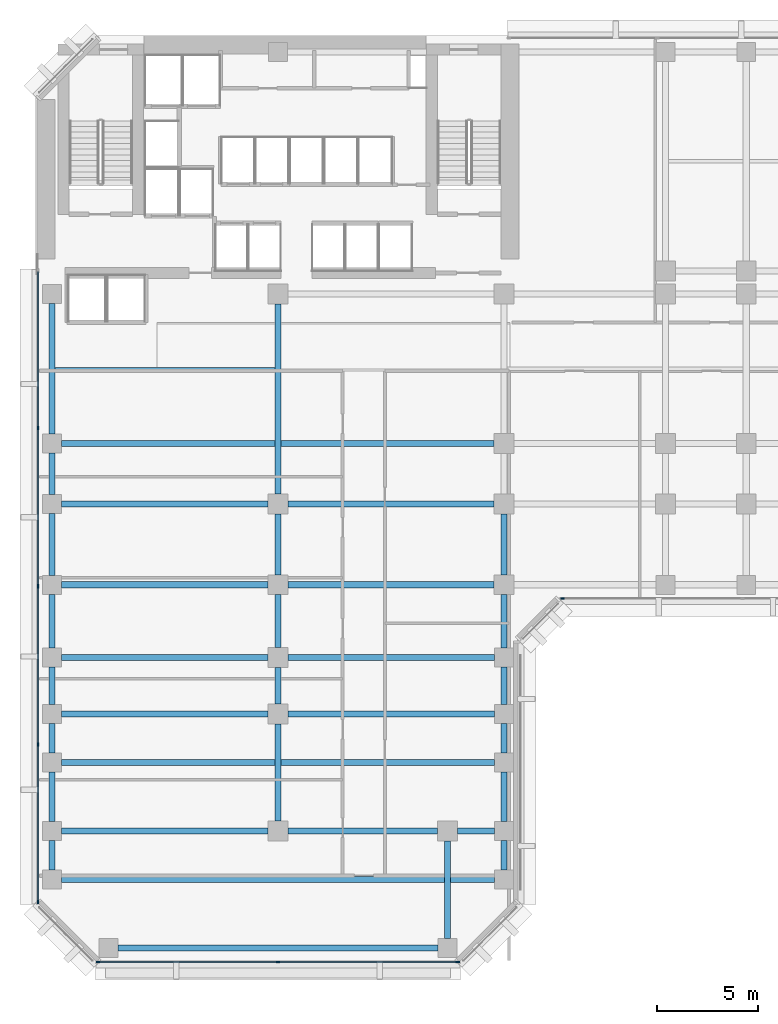
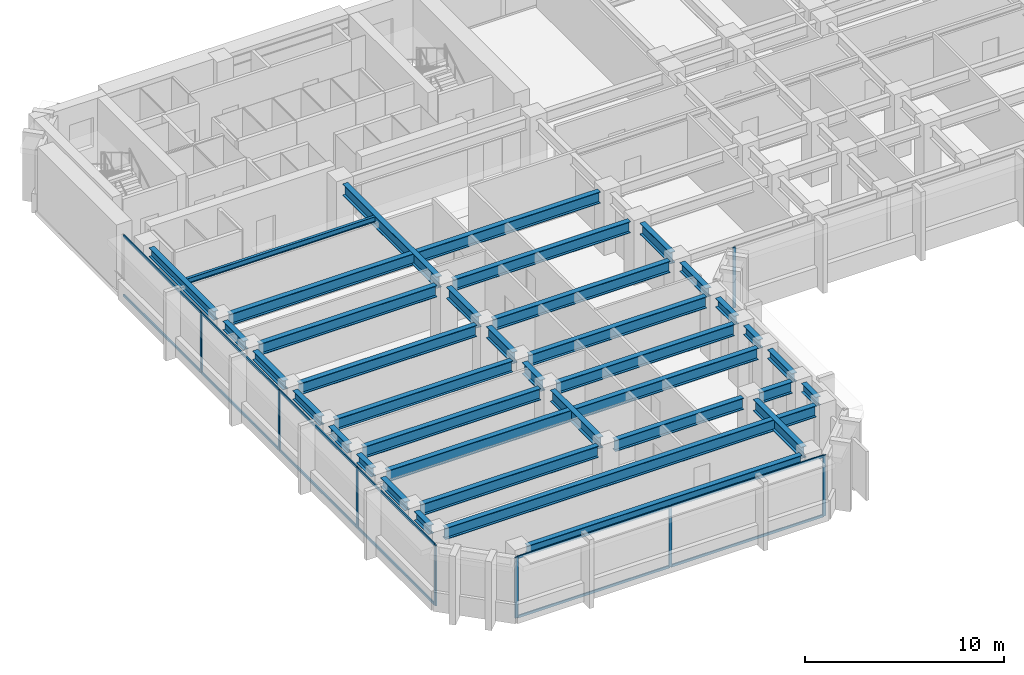
# One storey, part 2 of 13: 36 beams, 20 members, 3 elements without a shape of their own.
"""IFC4 building model written with IfcOpenShell, lengths in metres."""

from ifc_helpers import new_model, si_unit, direction, frame, origin, origin_2d, place, context, subcontext, project, spatial, rectangle, i_section, extrude, material, layer, layer_set, material_profile, profile_set, type_object, element, aggregate, save


model = new_model("IFC4")

# Units and contexts
model_context = context("Model", 3, precision=1e-05, world=origin(), true_north=direction((0.0, 1.0)))
body_context = subcontext(model_context, "Body", "Model", "MODEL_VIEW")
ifc_project = project(units=[si_unit("LENGTHUNIT", "METRE"), si_unit("AREAUNIT", "SQUARE_METRE"), si_unit("VOLUMEUNIT", "CUBIC_METRE"), si_unit("PLANEANGLEUNIT", "RADIAN"), si_unit("MASSUNIT", "GRAM", prefix="KILO")], contexts=[model_context])

# Site, building, storey
site_placement = place(None, origin())
site = spatial("IfcSite", under=ifc_project, at=site_placement, CompositionType="ELEMENT")
building_placement = place(site_placement, origin())
building = spatial("IfcBuilding", under=site, at=building_placement, Name="Kefirva Bronze Tower", CompositionType="ELEMENT")
storey_placement = place(building_placement, frame((0.0, 0.0, 62.0400390625)))
storey = spatial("IfcBuildingStorey", under=building, at=storey_placement, Name="L14", CompositionType="ELEMENT", Elevation=62.0400390625)

# Curtain wall, members
ifc_material_1 = material(Name="Bronze anodised aluminium", Category="aluminium")
ifc_layer = layer(ifc_material_1, 0.199951171875, Name="Bronze anodised aluminium")
ifc_layer_set = layer_set([ifc_layer], Name="Bronze anodised aluminium")
curtain_wall_type = type_object("IfcCurtainWallType", Name="Unitised Bronze Ribbon Curtain Wall Zone 1", PredefinedType="USERDEFINED", material=ifc_layer_set)
curtain_wall_1_placement = place(storey_placement, origin())
curtain_wall_1 = element("IfcCurtainWall", 1, at=curtain_wall_1_placement, inside=storey, type_object=curtain_wall_type, Name="L14 Curtain Wall 1", ObjectType="UNITISED CURTAIN WALL", PredefinedType="USERDEFINED")
ifc_material_profile_1 = material_profile(ifc_material_1, rectangle(XDim=0.074951171875, YDim=0.179931640625, at=origin_2d()), Name="ALU 75x180")
ifc_profile_set_1 = profile_set([ifc_material_profile_1], Name="Bronze anodised aluminium")
member_type_1 = type_object("IfcMemberType", Name="Bronze Mullion 75x180", PredefinedType="MULLION", material=ifc_profile_set_1)
member_1_placement = place(storey_placement, frame((3.092529296875, 0.1201171875, 0.0), z_axis=(0.0, 0.0, 1.0), x_axis=(0.0, 1.0, 0.0)))
member_1 = element("IfcMember", 2, at=member_1_placement, type_object=member_type_1, Name="CW-01 mullion 1", PredefinedType="MULLION", context=body_context, shape_type="SweptSolid", body=[
    extrude(rectangle(XDim=0.074951171875, YDim=0.179931640625, at=origin_2d()), origin(), (0.0, 0.0, 1.0), 3.7099609375),
])
member_2_placement = place(storey_placement, frame((12.0, 0.1201171875, 0.0), z_axis=(0.0, 0.0, 1.0), x_axis=(0.0, 1.0, 0.0)))
member_2 = element("IfcMember", 3, at=member_2_placement, type_object=member_type_1, Name="CW-01 mullion 2", PredefinedType="MULLION", context=body_context, shape_type="SweptSolid", body=[
    extrude(rectangle(XDim=0.074951171875, YDim=0.179931640625, at=origin_2d()), origin(), (0.0, 0.0, 1.0), 3.7099609375),
])
member_3_placement = place(storey_placement, frame((20.907470703125, 0.1201171875, 0.0), z_axis=(0.0, 0.0, 1.0), x_axis=(0.0, 1.0, 0.0)))
member_3 = element("IfcMember", 4, at=member_3_placement, type_object=member_type_1, Name="CW-01 mullion 3", PredefinedType="MULLION", context=body_context, shape_type="SweptSolid", body=[
    extrude(rectangle(XDim=0.074951171875, YDim=0.179931640625, at=origin_2d()), origin(), (0.0, 0.0, 1.0), 3.7099609375),
])

# Curtain wall, member
curtain_wall_2_placement = place(storey_placement, origin())
curtain_wall_2 = element("IfcCurtainWall", 5, at=curtain_wall_2_placement, inside=storey, type_object=curtain_wall_type, Name="L14 Curtain Wall 2", ObjectType="UNITISED CURTAIN WALL", PredefinedType="USERDEFINED")
member_4_placement = place(storey_placement, frame((26.092529296875, 18.1201171875, 0.0), z_axis=(0.0, 0.0, 1.0), x_axis=(0.0, 1.0, 0.0)))
member_4 = element("IfcMember", 6, at=member_4_placement, type_object=member_type_1, Name="CW-01 mullion 1", PredefinedType="MULLION", context=body_context, shape_type="SweptSolid", body=[
    extrude(rectangle(XDim=0.074951171875, YDim=0.179931640625, at=origin_2d()), origin(), (0.0, 0.0, 1.0), 3.7099609375),
])
aggregate(curtain_wall_2, [member_4])

# Curtain wall, members
curtain_wall_3_placement = place(storey_placement, origin())
curtain_wall_3 = element("IfcCurtainWall", 7, at=curtain_wall_3_placement, inside=storey, type_object=curtain_wall_type, Name="L14 Curtain Wall 5", ObjectType="UNITISED CURTAIN WALL", PredefinedType="USERDEFINED")
member_5_placement = place(storey_placement, frame((0.1201171875, 26.56005859375, 0.0), z_axis=(0.0, 0.0, 1.0), x_axis=(1.0, 0.0, 0.0)))
member_5 = element("IfcMember", 8, at=member_5_placement, type_object=member_type_1, Name="CW-01 mullion 2", PredefinedType="MULLION", context=body_context, shape_type="SweptSolid", body=[
    extrude(rectangle(XDim=0.074951171875, YDim=0.179931640625, at=origin_2d()), origin(), (0.0, 0.0, 1.0), 3.7099609375),
])
member_6_placement = place(storey_placement, frame((0.1201171875, 18.72509765625, 0.0), z_axis=(0.0, 0.0, 1.0), x_axis=(1.0, 0.0, 0.0)))
member_6 = element("IfcMember", 9, at=member_6_placement, type_object=member_type_1, Name="CW-01 mullion 3", PredefinedType="MULLION", context=body_context, shape_type="SweptSolid", body=[
    extrude(rectangle(XDim=0.074951171875, YDim=0.179931640625, at=origin_2d()), origin(), (0.0, 0.0, 1.0), 3.7099609375),
])
member_7_placement = place(storey_placement, frame((0.1201171875, 10.889892578125, 0.0), z_axis=(0.0, 0.0, 1.0), x_axis=(1.0, 0.0, 0.0)))
member_7 = element("IfcMember", 10, at=member_7_placement, type_object=member_type_1, Name="CW-01 mullion 4", PredefinedType="MULLION", context=body_context, shape_type="SweptSolid", body=[
    extrude(rectangle(XDim=0.074951171875, YDim=0.179931640625, at=origin_2d()), origin(), (0.0, 0.0, 1.0), 3.7099609375),
])
member_8_placement = place(storey_placement, frame((0.1201171875, 3.092529296875, 0.0), z_axis=(0.0, 0.0, 1.0), x_axis=(1.0, 0.0, 0.0)))
member_8 = element("IfcMember", 11, at=member_8_placement, type_object=member_type_1, Name="CW-01 mullion 5", PredefinedType="MULLION", context=body_context, shape_type="SweptSolid", body=[
    extrude(rectangle(XDim=0.074951171875, YDim=0.179931640625, at=origin_2d()), origin(), (0.0, 0.0, 1.0), 3.7099609375),
])

# Member
ifc_material_profile_2 = material_profile(ifc_material_1, rectangle(XDim=0.074951171875, YDim=0.14990234375, at=origin_2d()), Name="ALU 75x150")
ifc_profile_set_2 = profile_set([ifc_material_profile_2], Name="Bronze anodised aluminium")
member_type_2 = type_object("IfcMemberType", Name="Bronze Transom 75x150", PredefinedType="USERDEFINED", material=ifc_profile_set_2)
member_9_placement = place(storey_placement, frame((3.1298828125, 0.1201171875, 0.037353515625), z_axis=(1.0, 0.0, 0.0), x_axis=(0.0, 1.0, 0.0)))
member_9 = element("IfcMember", 12, at=member_9_placement, type_object=member_type_2, Name="CW-01 transom 1.1", ObjectType="TRANSOM", PredefinedType="USERDEFINED", context=body_context, shape_type="SweptSolid", body=[
    extrude(rectangle(XDim=0.074951171875, YDim=0.14990234375, at=origin_2d()), origin(), (0.0, 0.0, 1.0), 8.83251953125),
])

member_10_placement = place(storey_placement, frame((3.1298828125, 0.1201171875, 3.67236328125), z_axis=(1.0, 0.0, 0.0), x_axis=(0.0, 1.0, 0.0)))
member_10 = element("IfcMember", 13, at=member_10_placement, type_object=member_type_2, Name="CW-01 transom 1.2", ObjectType="TRANSOM", PredefinedType="USERDEFINED", context=body_context, shape_type="SweptSolid", body=[
    extrude(rectangle(XDim=0.074951171875, YDim=0.14990234375, at=origin_2d()), origin(), (0.0, 0.0, 1.0), 8.83251953125),
])

member_11_placement = place(storey_placement, frame((12.03759765625, 0.1201171875, 0.037353515625), z_axis=(1.0, 0.0, 0.0), x_axis=(0.0, 1.0, 0.0)))
member_11 = element("IfcMember", 14, at=member_11_placement, type_object=member_type_2, Name="CW-01 transom 2.1", ObjectType="TRANSOM", PredefinedType="USERDEFINED", context=body_context, shape_type="SweptSolid", body=[
    extrude(rectangle(XDim=0.074951171875, YDim=0.14990234375, at=origin_2d()), origin(), (0.0, 0.0, 1.0), 8.83251953125),
])

member_12_placement = place(storey_placement, frame((12.03759765625, 0.1201171875, 3.67236328125), z_axis=(1.0, 0.0, 0.0), x_axis=(0.0, 1.0, 0.0)))
member_12 = element("IfcMember", 15, at=member_12_placement, type_object=member_type_2, Name="CW-01 transom 2.2", ObjectType="TRANSOM", PredefinedType="USERDEFINED", context=body_context, shape_type="SweptSolid", body=[
    extrude(rectangle(XDim=0.074951171875, YDim=0.14990234375, at=origin_2d()), origin(), (0.0, 0.0, 1.0), 8.83251953125),
])

aggregate(curtain_wall_1, [member_1, member_2, member_3, member_9, member_10, member_11, member_12])

member_13_placement = place(storey_placement, frame((0.1201171875, 34.320068359375, 0.037353515625), z_axis=(0.0, -1.0, 0.0), x_axis=(1.0, 0.0, 0.0)))
member_13 = element("IfcMember", 16, at=member_13_placement, type_object=member_type_2, Name="CW-01 transom 1.1", ObjectType="TRANSOM", PredefinedType="USERDEFINED", context=body_context, shape_type="SweptSolid", body=[
    extrude(rectangle(XDim=0.074951171875, YDim=0.14990234375, at=origin_2d()), origin(), (0.0, 0.0, 1.0), 7.72265625),
])

member_14_placement = place(storey_placement, frame((0.1201171875, 34.320068359375, 3.67236328125), z_axis=(0.0, -1.0, 0.0), x_axis=(1.0, 0.0, 0.0)))
member_14 = element("IfcMember", 17, at=member_14_placement, type_object=member_type_2, Name="CW-01 transom 1.2", ObjectType="TRANSOM", PredefinedType="USERDEFINED", context=body_context, shape_type="SweptSolid", body=[
    extrude(rectangle(XDim=0.074951171875, YDim=0.14990234375, at=origin_2d()), origin(), (0.0, 0.0, 1.0), 7.72265625),
])

member_15_placement = place(storey_placement, frame((0.1201171875, 26.5224609375, 0.037353515625), z_axis=(0.0, -1.0, 0.0), x_axis=(1.0, 0.0, 0.0)))
member_15 = element("IfcMember", 18, at=member_15_placement, type_object=member_type_2, Name="CW-01 transom 2.1", ObjectType="TRANSOM", PredefinedType="USERDEFINED", context=body_context, shape_type="SweptSolid", body=[
    extrude(rectangle(XDim=0.074951171875, YDim=0.14990234375, at=origin_2d()), origin(), (0.0, 0.0, 1.0), 7.760009765625),
])

member_16_placement = place(storey_placement, frame((0.1201171875, 26.5224609375, 3.67236328125), z_axis=(0.0, -1.0, 0.0), x_axis=(1.0, 0.0, 0.0)))
member_16 = element("IfcMember", 19, at=member_16_placement, type_object=member_type_2, Name="CW-01 transom 2.2", ObjectType="TRANSOM", PredefinedType="USERDEFINED", context=body_context, shape_type="SweptSolid", body=[
    extrude(rectangle(XDim=0.074951171875, YDim=0.14990234375, at=origin_2d()), origin(), (0.0, 0.0, 1.0), 7.760009765625),
])

member_17_placement = place(storey_placement, frame((0.1201171875, 18.6875, 0.037353515625), z_axis=(0.0, -1.0, 0.0), x_axis=(1.0, 0.0, 0.0)))
member_17 = element("IfcMember", 20, at=member_17_placement, type_object=member_type_2, Name="CW-01 transom 3.1", ObjectType="TRANSOM", PredefinedType="USERDEFINED", context=body_context, shape_type="SweptSolid", body=[
    extrude(rectangle(XDim=0.074951171875, YDim=0.14990234375, at=origin_2d()), origin(), (0.0, 0.0, 1.0), 7.760009765625),
])

member_18_placement = place(storey_placement, frame((0.1201171875, 18.6875, 3.67236328125), z_axis=(0.0, -1.0, 0.0), x_axis=(1.0, 0.0, 0.0)))
member_18 = element("IfcMember", 21, at=member_18_placement, type_object=member_type_2, Name="CW-01 transom 3.2", ObjectType="TRANSOM", PredefinedType="USERDEFINED", context=body_context, shape_type="SweptSolid", body=[
    extrude(rectangle(XDim=0.074951171875, YDim=0.14990234375, at=origin_2d()), origin(), (0.0, 0.0, 1.0), 7.760009765625),
])

member_19_placement = place(storey_placement, frame((0.1201171875, 10.8525390625, 0.037353515625), z_axis=(0.0, -1.0, 0.0), x_axis=(1.0, 0.0, 0.0)))
member_19 = element("IfcMember", 22, at=member_19_placement, type_object=member_type_2, Name="CW-01 transom 4.1", ObjectType="TRANSOM", PredefinedType="USERDEFINED", context=body_context, shape_type="SweptSolid", body=[
    extrude(rectangle(XDim=0.074951171875, YDim=0.14990234375, at=origin_2d()), origin(), (0.0, 0.0, 1.0), 7.72265625),
])

member_20_placement = place(storey_placement, frame((0.1201171875, 10.8525390625, 3.67236328125), z_axis=(0.0, -1.0, 0.0), x_axis=(1.0, 0.0, 0.0)))
member_20 = element("IfcMember", 23, at=member_20_placement, type_object=member_type_2, Name="CW-01 transom 4.2", ObjectType="TRANSOM", PredefinedType="USERDEFINED", context=body_context, shape_type="SweptSolid", body=[
    extrude(rectangle(XDim=0.074951171875, YDim=0.14990234375, at=origin_2d()), origin(), (0.0, 0.0, 1.0), 7.72265625),
])

aggregate(curtain_wall_3, [member_5, member_6, member_7, member_8, member_13, member_14, member_15, member_16, member_17, member_18, member_19, member_20])

# Beams
ifc_material_2 = material(Name="Steel S355", Category="steel")
ifc_material_profile_3 = material_profile(ifc_material_2, i_section(OverallWidth=0.159912109375, OverallDepth=0.330078125, WebThickness=0.007568359375, FlangeThickness=0.011474609375, at=origin_2d()), Name="IPE 330")
ifc_profile_set_3 = profile_set([ifc_material_profile_3], Name="Steel S355")
beam_type_1 = type_object("IfcBeamType", Name="Steel Floor Joist IPE 330", PredefinedType="JOIST", material=ifc_profile_set_3)
beam_1_placement = place(storey_placement, frame((0.949951171875, 29.489990234375, 3.544921875), z_axis=(1.0, 0.0, 0.0), x_axis=(0.0, 1.0, 0.0)))
element("IfcBeam", 24, at=beam_1_placement, inside=storey, type_object=beam_type_1, Name="L14 JST-L14-0-294", PredefinedType="JOIST", context=body_context, shape_type="SweptSolid", body=[
    extrude(i_section(OverallWidth=0.159912109375, OverallDepth=0.330078125, WebThickness=0.007568359375, FlangeThickness=0.011474609375, at=origin_2d()), origin(), (0.0, 0.0, 1.0), 10.900146484375),
])
ifc_material_profile_4 = material_profile(ifc_material_2, i_section(OverallWidth=0.300048828125, OverallDepth=0.699951171875, WebThickness=0.01708984375, FlangeThickness=0.031982421875, at=origin_2d()), Name="HEB 700")
ifc_profile_set_4 = profile_set([ifc_material_profile_4], Name="Steel S355")
beam_type_2 = type_object("IfcBeamType", Name="Steel Girder HEB 700", PredefinedType="USERDEFINED", material=ifc_profile_set_4)
beam_2_placement = place(storey_placement, frame((1.27001953125, 4.199951171875, 3.35986328125), z_axis=(1.0, 0.0, 0.0), x_axis=(0.0, 1.0, 0.0)))
element("IfcBeam", 25, at=beam_2_placement, inside=storey, type_object=beam_type_2, Name="L14 BM-L14-EW-0-42", ObjectType="GIRDER", PredefinedType="USERDEFINED", context=body_context, shape_type="SweptSolid", body=[
    extrude(i_section(OverallWidth=0.300048828125, OverallDepth=0.699951171875, WebThickness=0.01708984375, FlangeThickness=0.031982421875, at=origin_2d()), origin(), (0.0, 0.0, 1.0), 21.4599609375),
])
beam_3_placement = place(storey_placement, frame((1.27001953125, 6.60009765625, 3.35986328125), z_axis=(1.0, 0.0, 0.0), x_axis=(0.0, 1.0, 0.0)))
element("IfcBeam", 26, at=beam_3_placement, inside=storey, type_object=beam_type_2, Name="L14 BM-L14-EW-0-66", ObjectType="GIRDER", PredefinedType="USERDEFINED", context=body_context, shape_type="SweptSolid", body=[
    extrude(i_section(OverallWidth=0.300048828125, OverallDepth=0.699951171875, WebThickness=0.01708984375, FlangeThickness=0.031982421875, at=origin_2d()), origin(), (0.0, 0.0, 1.0), 10.239990234375),
])
beam_4_placement = place(storey_placement, frame((12.489990234375, 6.60009765625, 3.35986328125), z_axis=(1.0, 0.0, 0.0), x_axis=(0.0, 1.0, 0.0)))
element("IfcBeam", 27, at=beam_4_placement, inside=storey, type_object=beam_type_2, Name="L14 BM-L14-EW-12-66", ObjectType="GIRDER", PredefinedType="USERDEFINED", context=body_context, shape_type="SweptSolid", body=[
    extrude(i_section(OverallWidth=0.300048828125, OverallDepth=0.699951171875, WebThickness=0.01708984375, FlangeThickness=0.031982421875, at=origin_2d()), origin(), (0.0, 0.0, 1.0), 7.419921875),
])
beam_5_placement = place(storey_placement, frame((20.889892578125, 6.60009765625, 3.35986328125), z_axis=(1.0, 0.0, 0.0), x_axis=(0.0, 1.0, 0.0)))
element("IfcBeam", 28, at=beam_5_placement, inside=storey, type_object=beam_type_2, Name="L14 BM-L14-EW-20-66", ObjectType="GIRDER", PredefinedType="USERDEFINED", context=body_context, shape_type="SweptSolid", body=[
    extrude(i_section(OverallWidth=0.300048828125, OverallDepth=0.699951171875, WebThickness=0.01708984375, FlangeThickness=0.031982421875, at=origin_2d()), origin(), (0.0, 0.0, 1.0), 1.840087890625),
])
beam_6_placement = place(storey_placement, frame((1.27001953125, 10.0, 3.35986328125), z_axis=(1.0, 0.0, 0.0), x_axis=(0.0, 1.0, 0.0)))
element("IfcBeam", 29, at=beam_6_placement, inside=storey, type_object=beam_type_2, Name="L14 BM-L14-EW-0-100", ObjectType="GIRDER", PredefinedType="USERDEFINED", context=body_context, shape_type="SweptSolid", body=[
    extrude(i_section(OverallWidth=0.300048828125, OverallDepth=0.699951171875, WebThickness=0.01708984375, FlangeThickness=0.031982421875, at=origin_2d()), origin(), (0.0, 0.0, 1.0), 21.4599609375),
])
for number, where, z_axis, x_axis, name in (
    (30, (1.27001953125, 12.39990234375, 3.35986328125), (1.0, 0.0, 0.0), (0.0, 1.0, 0.0), "L14 BM-L14-EW-0-124"),
    (31, (12.489990234375, 12.39990234375, 3.35986328125), (1.0, 0.0, 0.0), (0.0, 1.0, 0.0), "L14 BM-L14-EW-12-124"),
    (32, (1.27001953125, 15.199951171875, 3.35986328125), (1.0, 0.0, 0.0), (0.0, 1.0, 0.0), "L14 BM-L14-EW-0-152"),
    (33, (12.489990234375, 15.199951171875, 3.35986328125), (1.0, 0.0, 0.0), (0.0, 1.0, 0.0), "L14 BM-L14-EW-12-152"),
    (34, (1.27001953125, 18.800048828125, 3.35986328125), (1.0, 0.0, 0.0), (0.0, 1.0, 0.0), "L14 BM-L14-EW-0-188"),
):
    element("IfcBeam", number, at=place(storey_placement, frame(where, z_axis=z_axis, x_axis=x_axis)), inside=storey, type_object=beam_type_2, Name=name, ObjectType="GIRDER", PredefinedType="USERDEFINED", context=body_context, shape_type="SweptSolid", body=[
        extrude(i_section(OverallWidth=0.300048828125, OverallDepth=0.699951171875, WebThickness=0.01708984375, FlangeThickness=0.031982421875, at=origin_2d()), origin(), (0.0, 0.0, 1.0), 10.239990234375),
    ])
beam_7_placement = place(storey_placement, frame((12.489990234375, 18.800048828125, 3.35986328125), z_axis=(1.0, 0.0, 0.0), x_axis=(0.0, 1.0, 0.0)))
element("IfcBeam", 35, at=beam_7_placement, inside=storey, type_object=beam_type_2, Name="L14 BM-L14-EW-12-188", ObjectType="GIRDER", PredefinedType="USERDEFINED", context=body_context, shape_type="SweptSolid", body=[
    extrude(i_section(OverallWidth=0.300048828125, OverallDepth=0.699951171875, WebThickness=0.01708984375, FlangeThickness=0.031982421875, at=origin_2d()), origin(), (0.0, 0.0, 1.0), 10.219970703125),
])
beam_8_placement = place(storey_placement, frame((1.27001953125, 22.800048828125, 3.35986328125), z_axis=(1.0, 0.0, 0.0), x_axis=(0.0, 1.0, 0.0)))
element("IfcBeam", 36, at=beam_8_placement, inside=storey, type_object=beam_type_2, Name="L14 BM-L14-EW-0-228", ObjectType="GIRDER", PredefinedType="USERDEFINED", context=body_context, shape_type="SweptSolid", body=[
    extrude(i_section(OverallWidth=0.300048828125, OverallDepth=0.699951171875, WebThickness=0.01708984375, FlangeThickness=0.031982421875, at=origin_2d()), origin(), (0.0, 0.0, 1.0), 10.239990234375),
])
beam_9_placement = place(storey_placement, frame((12.489990234375, 22.800048828125, 3.35986328125), z_axis=(1.0, 0.0, 0.0), x_axis=(0.0, 1.0, 0.0)))
element("IfcBeam", 37, at=beam_9_placement, inside=storey, type_object=beam_type_2, Name="L14 BM-L14-EW-12-228", ObjectType="GIRDER", PredefinedType="USERDEFINED", context=body_context, shape_type="SweptSolid", body=[
    extrude(i_section(OverallWidth=0.300048828125, OverallDepth=0.699951171875, WebThickness=0.01708984375, FlangeThickness=0.031982421875, at=origin_2d()), origin(), (0.0, 0.0, 1.0), 10.219970703125),
])
beam_10_placement = place(storey_placement, frame((1.27001953125, 25.800048828125, 3.35986328125), z_axis=(1.0, 0.0, 0.0), x_axis=(0.0, 1.0, 0.0)))
element("IfcBeam", 38, at=beam_10_placement, inside=storey, type_object=beam_type_2, Name="L14 BM-L14-EW-0-258", ObjectType="GIRDER", PredefinedType="USERDEFINED", context=body_context, shape_type="SweptSolid", body=[
    extrude(i_section(OverallWidth=0.300048828125, OverallDepth=0.699951171875, WebThickness=0.01708984375, FlangeThickness=0.031982421875, at=origin_2d()), origin(), (0.0, 0.0, 1.0), 21.43994140625),
])
beam_11_placement = place(storey_placement, frame((12.0, 7.090087890625, 3.35986328125), z_axis=(0.0, 1.0, 0.0), x_axis=(-1.0, 0.0, 0.0)))
element("IfcBeam", 39, at=beam_11_placement, inside=storey, type_object=beam_type_2, Name="L14 BM-L14-NS-120-6", ObjectType="GIRDER", PredefinedType="USERDEFINED", context=body_context, shape_type="SweptSolid", body=[
    extrude(i_section(OverallWidth=0.300048828125, OverallDepth=0.699951171875, WebThickness=0.01708984375, FlangeThickness=0.031982421875, at=origin_2d()), origin(), (0.0, 0.0, 1.0), 4.81982421875),
])
beam_12_placement = place(storey_placement, frame((12.0, 12.889892578125, 3.35986328125), z_axis=(0.0, 1.0, 0.0), x_axis=(-1.0, 0.0, 0.0)))
element("IfcBeam", 40, at=beam_12_placement, inside=storey, type_object=beam_type_2, Name="L14 BM-L14-NS-120-12", ObjectType="GIRDER", PredefinedType="USERDEFINED", context=body_context, shape_type="SweptSolid", body=[
    extrude(i_section(OverallWidth=0.300048828125, OverallDepth=0.699951171875, WebThickness=0.01708984375, FlangeThickness=0.031982421875, at=origin_2d()), origin(), (0.0, 0.0, 1.0), 1.820068359375),
])
beam_13_placement = place(storey_placement, frame((12.0, 15.68994140625, 3.35986328125), z_axis=(0.0, 1.0, 0.0), x_axis=(-1.0, 0.0, 0.0)))
element("IfcBeam", 41, at=beam_13_placement, inside=storey, type_object=beam_type_2, Name="L14 BM-L14-NS-120-15", ObjectType="GIRDER", PredefinedType="USERDEFINED", context=body_context, shape_type="SweptSolid", body=[
    extrude(i_section(OverallWidth=0.300048828125, OverallDepth=0.699951171875, WebThickness=0.01708984375, FlangeThickness=0.031982421875, at=origin_2d()), origin(), (0.0, 0.0, 1.0), 2.6201171875),
])
beam_14_placement = place(storey_placement, frame((12.0, 19.2900390625, 3.35986328125), z_axis=(0.0, 1.0, 0.0), x_axis=(-1.0, 0.0, 0.0)))
element("IfcBeam", 42, at=beam_14_placement, inside=storey, type_object=beam_type_2, Name="L14 BM-L14-NS-120-18", ObjectType="GIRDER", PredefinedType="USERDEFINED", context=body_context, shape_type="SweptSolid", body=[
    extrude(i_section(OverallWidth=0.300048828125, OverallDepth=0.699951171875, WebThickness=0.01708984375, FlangeThickness=0.031982421875, at=origin_2d()), origin(), (0.0, 0.0, 1.0), 3.02001953125),
])
beam_15_placement = place(storey_placement, frame((12.0, 23.2900390625, 3.35986328125), z_axis=(0.0, 1.0, 0.0), x_axis=(-1.0, 0.0, 0.0)))
element("IfcBeam", 43, at=beam_15_placement, inside=storey, type_object=beam_type_2, Name="L14 BM-L14-NS-120-22", ObjectType="GIRDER", PredefinedType="USERDEFINED", context=body_context, shape_type="SweptSolid", body=[
    extrude(i_section(OverallWidth=0.300048828125, OverallDepth=0.699951171875, WebThickness=0.01708984375, FlangeThickness=0.031982421875, at=origin_2d()), origin(), (0.0, 0.0, 1.0), 9.419921875),
])
beam_16_placement = place(storey_placement, frame((20.39990234375, 1.27001953125, 3.35986328125), z_axis=(0.0, 1.0, 0.0), x_axis=(-1.0, 0.0, 0.0)))
element("IfcBeam", 44, at=beam_16_placement, inside=storey, type_object=beam_type_2, Name="L14 BM-L14-NS-204-0", ObjectType="GIRDER", PredefinedType="USERDEFINED", context=body_context, shape_type="SweptSolid", body=[
    extrude(i_section(OverallWidth=0.300048828125, OverallDepth=0.699951171875, WebThickness=0.01708984375, FlangeThickness=0.031982421875, at=origin_2d()), origin(), (0.0, 0.0, 1.0), 4.840087890625),
])
beam_17_placement = place(storey_placement, frame((23.199951171875, 19.2900390625, 3.35986328125), z_axis=(0.0, 1.0, 0.0), x_axis=(-1.0, 0.0, 0.0)))
element("IfcBeam", 45, at=beam_17_placement, inside=storey, type_object=beam_type_2, Name="L14 BM-L14-NS-232-18", ObjectType="GIRDER", PredefinedType="USERDEFINED", context=body_context, shape_type="SweptSolid", body=[
    extrude(i_section(OverallWidth=0.300048828125, OverallDepth=0.699951171875, WebThickness=0.01708984375, FlangeThickness=0.031982421875, at=origin_2d()), origin(), (0.0, 0.0, 1.0), 3.02001953125),
])
ifc_material_profile_5 = material_profile(ifc_material_2, i_section(OverallWidth=0.300048828125, OverallDepth=0.550048828125, WebThickness=0.014892578125, FlangeThickness=0.029052734375, at=origin_2d()), Name="HEB 550")
ifc_profile_set_5 = profile_set([ifc_material_profile_5], Name="Steel S355")
beam_type_3 = type_object("IfcBeamType", Name="Steel Spandrel HEB 550 Ext", PredefinedType="SPANDREL", material=ifc_profile_set_5)
beam_18_placement = place(storey_placement, frame((4.070068359375, 0.800048828125, 3.43505859375), z_axis=(1.0, 0.0, 0.0), x_axis=(0.0, 1.0, 0.0)))
element("IfcBeam", 46, at=beam_18_placement, inside=storey, type_object=beam_type_3, Name="L14 BM-L14-EW-3-8", PredefinedType="SPANDREL", context=body_context, shape_type="SweptSolid", body=[
    extrude(i_section(OverallWidth=0.300048828125, OverallDepth=0.550048828125, WebThickness=0.014892578125, FlangeThickness=0.029052734375, at=origin_2d()), origin(), (0.0, 0.0, 1.0), 15.85986328125),
])
beam_19_placement = place(storey_placement, frame((0.800048828125, 4.669921875, 3.43505859375), z_axis=(0.0, 1.0, 0.0), x_axis=(-1.0, 0.0, 0.0)))
element("IfcBeam", 47, at=beam_19_placement, inside=storey, type_object=beam_type_3, Name="L14 BM-L14-NS-8-4", PredefinedType="SPANDREL", context=body_context, shape_type="SweptSolid", body=[
    extrude(i_section(OverallWidth=0.300048828125, OverallDepth=0.550048828125, WebThickness=0.014892578125, FlangeThickness=0.029052734375, at=origin_2d()), origin(), (0.0, 0.0, 1.0), 1.4599609375),
])
beam_20_placement = place(storey_placement, frame((0.800048828125, 7.070068359375, 3.43505859375), z_axis=(0.0, 1.0, 0.0), x_axis=(-1.0, 0.0, 0.0)))
element("IfcBeam", 48, at=beam_20_placement, inside=storey, type_object=beam_type_3, Name="L14 BM-L14-NS-8-6", PredefinedType="SPANDREL", context=body_context, shape_type="SweptSolid", body=[
    extrude(i_section(OverallWidth=0.300048828125, OverallDepth=0.550048828125, WebThickness=0.014892578125, FlangeThickness=0.029052734375, at=origin_2d()), origin(), (0.0, 0.0, 1.0), 2.4599609375),
])
beam_21_placement = place(storey_placement, frame((0.800048828125, 10.469970703125, 3.43505859375), z_axis=(0.0, 1.0, 0.0), x_axis=(-1.0, 0.0, 0.0)))
element("IfcBeam", 49, at=beam_21_placement, inside=storey, type_object=beam_type_3, Name="L14 BM-L14-NS-8-10", PredefinedType="SPANDREL", context=body_context, shape_type="SweptSolid", body=[
    extrude(i_section(OverallWidth=0.300048828125, OverallDepth=0.550048828125, WebThickness=0.014892578125, FlangeThickness=0.029052734375, at=origin_2d()), origin(), (0.0, 0.0, 1.0), 1.4599609375),
])
beam_22_placement = place(storey_placement, frame((0.800048828125, 12.8701171875, 3.43505859375), z_axis=(0.0, 1.0, 0.0), x_axis=(-1.0, 0.0, 0.0)))
element("IfcBeam", 50, at=beam_22_placement, inside=storey, type_object=beam_type_3, Name="L14 BM-L14-NS-8-12", PredefinedType="SPANDREL", context=body_context, shape_type="SweptSolid", body=[
    extrude(i_section(OverallWidth=0.300048828125, OverallDepth=0.550048828125, WebThickness=0.014892578125, FlangeThickness=0.029052734375, at=origin_2d()), origin(), (0.0, 0.0, 1.0), 1.85986328125),
])
beam_23_placement = place(storey_placement, frame((0.800048828125, 15.669921875, 3.43505859375), z_axis=(0.0, 1.0, 0.0), x_axis=(-1.0, 0.0, 0.0)))
element("IfcBeam", 51, at=beam_23_placement, inside=storey, type_object=beam_type_3, Name="L14 BM-L14-NS-8-15", PredefinedType="SPANDREL", context=body_context, shape_type="SweptSolid", body=[
    extrude(i_section(OverallWidth=0.300048828125, OverallDepth=0.550048828125, WebThickness=0.014892578125, FlangeThickness=0.029052734375, at=origin_2d()), origin(), (0.0, 0.0, 1.0), 2.66015625),
])
beam_24_placement = place(storey_placement, frame((0.800048828125, 19.27001953125, 3.43505859375), z_axis=(0.0, 1.0, 0.0), x_axis=(-1.0, 0.0, 0.0)))
element("IfcBeam", 52, at=beam_24_placement, inside=storey, type_object=beam_type_3, Name="L14 BM-L14-NS-8-18", PredefinedType="SPANDREL", context=body_context, shape_type="SweptSolid", body=[
    extrude(i_section(OverallWidth=0.300048828125, OverallDepth=0.550048828125, WebThickness=0.014892578125, FlangeThickness=0.029052734375, at=origin_2d()), origin(), (0.0, 0.0, 1.0), 3.06005859375),
])
beam_25_placement = place(storey_placement, frame((0.800048828125, 23.27001953125, 3.43505859375), z_axis=(0.0, 1.0, 0.0), x_axis=(-1.0, 0.0, 0.0)))
element("IfcBeam", 53, at=beam_25_placement, inside=storey, type_object=beam_type_3, Name="L14 BM-L14-NS-8-22", PredefinedType="SPANDREL", context=body_context, shape_type="SweptSolid", body=[
    extrude(i_section(OverallWidth=0.300048828125, OverallDepth=0.550048828125, WebThickness=0.014892578125, FlangeThickness=0.029052734375, at=origin_2d()), origin(), (0.0, 0.0, 1.0), 2.06005859375),
])
beam_26_placement = place(storey_placement, frame((0.800048828125, 26.27001953125, 3.43505859375), z_axis=(0.0, 1.0, 0.0), x_axis=(-1.0, 0.0, 0.0)))
element("IfcBeam", 54, at=beam_26_placement, inside=storey, type_object=beam_type_3, Name="L14 BM-L14-NS-8-25", PredefinedType="SPANDREL", context=body_context, shape_type="SweptSolid", body=[
    extrude(i_section(OverallWidth=0.300048828125, OverallDepth=0.550048828125, WebThickness=0.014892578125, FlangeThickness=0.029052734375, at=origin_2d()), origin(), (0.0, 0.0, 1.0), 6.4599609375),
])
beam_27_placement = place(storey_placement, frame((23.199951171875, 4.669921875, 3.43505859375), z_axis=(0.0, 1.0, 0.0), x_axis=(-1.0, 0.0, 0.0)))
element("IfcBeam", 55, at=beam_27_placement, inside=storey, type_object=beam_type_3, Name="L14 BM-L14-NS-232-4", PredefinedType="SPANDREL", context=body_context, shape_type="SweptSolid", body=[
    extrude(i_section(OverallWidth=0.300048828125, OverallDepth=0.550048828125, WebThickness=0.014892578125, FlangeThickness=0.029052734375, at=origin_2d()), origin(), (0.0, 0.0, 1.0), 1.4599609375),
])
beam_28_placement = place(storey_placement, frame((23.199951171875, 7.070068359375, 3.43505859375), z_axis=(0.0, 1.0, 0.0), x_axis=(-1.0, 0.0, 0.0)))
element("IfcBeam", 56, at=beam_28_placement, inside=storey, type_object=beam_type_3, Name="L14 BM-L14-NS-232-6", PredefinedType="SPANDREL", context=body_context, shape_type="SweptSolid", body=[
    extrude(i_section(OverallWidth=0.300048828125, OverallDepth=0.550048828125, WebThickness=0.014892578125, FlangeThickness=0.029052734375, at=origin_2d()), origin(), (0.0, 0.0, 1.0), 2.4599609375),
])
beam_29_placement = place(storey_placement, frame((23.199951171875, 10.469970703125, 3.43505859375), z_axis=(0.0, 1.0, 0.0), x_axis=(-1.0, 0.0, 0.0)))
element("IfcBeam", 57, at=beam_29_placement, inside=storey, type_object=beam_type_3, Name="L14 BM-L14-NS-232-10", PredefinedType="SPANDREL", context=body_context, shape_type="SweptSolid", body=[
    extrude(i_section(OverallWidth=0.300048828125, OverallDepth=0.550048828125, WebThickness=0.014892578125, FlangeThickness=0.029052734375, at=origin_2d()), origin(), (0.0, 0.0, 1.0), 1.4599609375),
])
beam_30_placement = place(storey_placement, frame((23.199951171875, 12.8701171875, 3.43505859375), z_axis=(0.0, 1.0, 0.0), x_axis=(-1.0, 0.0, 0.0)))
element("IfcBeam", 58, at=beam_30_placement, inside=storey, type_object=beam_type_3, Name="L14 BM-L14-NS-232-12", PredefinedType="SPANDREL", context=body_context, shape_type="SweptSolid", body=[
    extrude(i_section(OverallWidth=0.300048828125, OverallDepth=0.550048828125, WebThickness=0.014892578125, FlangeThickness=0.029052734375, at=origin_2d()), origin(), (0.0, 0.0, 1.0), 1.85986328125),
])
beam_31_placement = place(storey_placement, frame((23.199951171875, 15.669921875, 3.43505859375), z_axis=(0.0, 1.0, 0.0), x_axis=(-1.0, 0.0, 0.0)))
element("IfcBeam", 59, at=beam_31_placement, inside=storey, type_object=beam_type_3, Name="L14 BM-L14-NS-232-15", PredefinedType="SPANDREL", context=body_context, shape_type="SweptSolid", body=[
    extrude(i_section(OverallWidth=0.300048828125, OverallDepth=0.550048828125, WebThickness=0.014892578125, FlangeThickness=0.029052734375, at=origin_2d()), origin(), (0.0, 0.0, 1.0), 2.64013671875),
])

save(model, "model.ifc")
